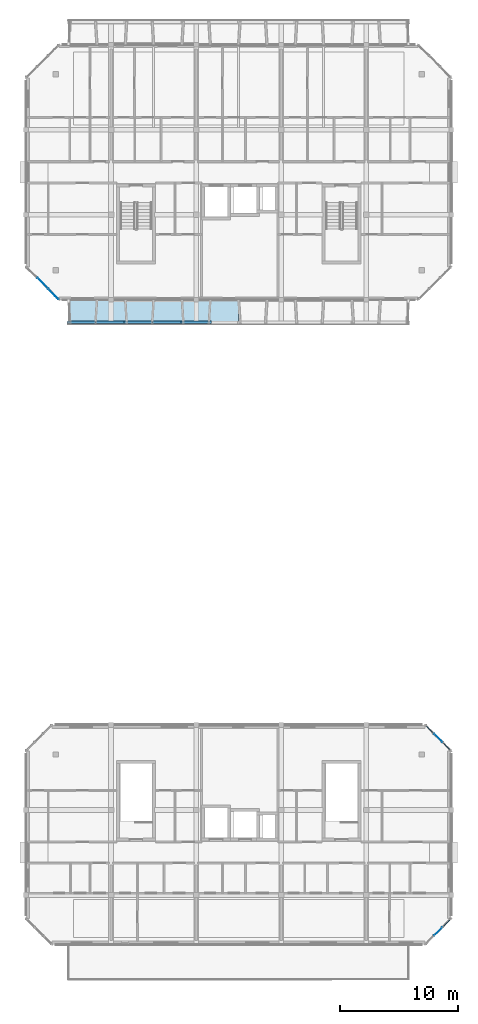
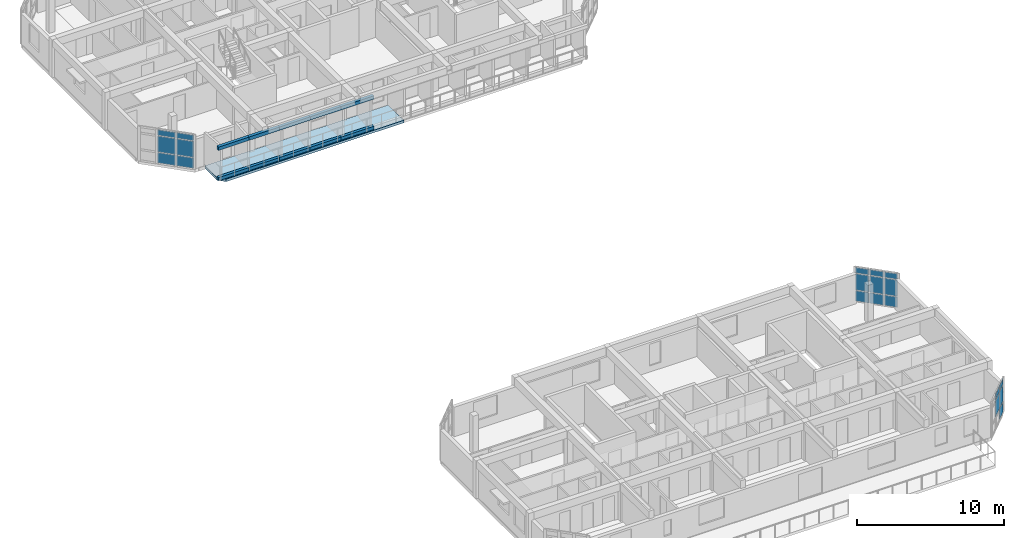
# One storey, part 6 of 19: 30 plates, 1 slab, 3 elements without a shape of their own.
"""IFC4 building model written with IfcOpenShell, lengths in metres."""

from ifc_helpers import new_model, si_unit, direction, frame, origin, origin_2d, place, context, subcontext, project, spatial, polyline, rectangle, outline, extrude, material, layer, layer_set, type_object, element, aggregate, save


model = new_model("IFC4")

# Units and contexts
model_context = context("Model", 3, precision=1e-05, world=origin(), true_north=direction((0.0, 1.0)))
body_context = subcontext(model_context, "Body", "Model", "MODEL_VIEW")
ifc_project = project(units=[si_unit("LENGTHUNIT", "METRE"), si_unit("AREAUNIT", "SQUARE_METRE"), si_unit("VOLUMEUNIT", "CUBIC_METRE"), si_unit("PLANEANGLEUNIT", "RADIAN"), si_unit("MASSUNIT", "GRAM", prefix="KILO")], contexts=[model_context])

# Site, building, storey
site_placement = place(None, origin())
site = spatial("IfcSite", under=ifc_project, at=site_placement, CompositionType="ELEMENT")
building_placement = place(site_placement, origin())
building = spatial("IfcBuilding", under=site, at=building_placement, Name="Ochrevale Crest", CompositionType="ELEMENT")
storey_placement = place(building_placement, frame((0.0, 0.0, 43.35009765625)))
storey = spatial("IfcBuildingStorey", under=building, at=storey_placement, Name="L13", CompositionType="ELEMENT", Elevation=43.35009765625)

# Curtain wall, plates
ifc_material_1 = material(Name="Anodised aluminium 6063-T5", Category="aluminium")
ifc_layer_1 = layer(ifc_material_1, 0.14990234375)
ifc_layer_set_1 = layer_set([ifc_layer_1], Name="Anodised aluminium 6063-T5")
curtain_wall_type_1 = type_object("IfcCurtainWallType", Name="CW-WG-240x285", PredefinedType="NOTDEFINED", material=ifc_layer_set_1)
curtain_wall_1_placement = place(storey_placement, origin())
curtain_wall_1 = element("IfcCurtainWall", 1, at=curtain_wall_1_placement, inside=storey, type_object=curtain_wall_type_1, Name="Block C L13 chamfered corner wintergarden curtain wall 2", PredefinedType="NOTDEFINED")
ifc_material_2 = material(Name="Double-glazed low-E insulated glass unit", Category="glass")
ifc_layer_2 = layer(ifc_material_2, 0.028076171875)
ifc_layer_set_2 = layer_set([ifc_layer_2], Name="Double-glazed low-E insulated glass unit")
plate_type_1 = type_object("IfcPlateType", Name="CW-PNL-IGU28", PredefinedType="CURTAIN_PANEL", material=ifc_layer_set_2)
plate_1_placement = place(storey_placement, frame((164.5, 18.5, 0.979736328125), z_axis=(0.0, 0.0, 1.0), x_axis=(0.707106781187, 0.707106781187, 0.0)))
plate_1 = element("IfcPlate", 2, at=plate_1_placement, type_object=plate_type_1, Name="CW15 panel 2.2", PredefinedType="CURTAIN_PANEL", context=body_context, shape_type="SweptSolid", body=[
    extrude(rectangle(XDim=0.962158203125, YDim=0.028076171875, at=origin_2d()), origin(), (0.0, 0.0, 1.0), 1.35009765625),
])
plate_2_placement = place(storey_placement, frame((164.5, 18.5, 2.389892578125), z_axis=(0.0, 0.0, 1.0), x_axis=(0.707106781187, 0.707106781187, 0.0)))
plate_2 = element("IfcPlate", 3, at=plate_2_placement, type_object=plate_type_1, Name="CW15 panel 2.3", PredefinedType="CURTAIN_PANEL", context=body_context, shape_type="SweptSolid", body=[
    extrude(rectangle(XDim=0.962158203125, YDim=0.028076171875, at=origin_2d()), origin(), (0.0, 0.0, 1.0), 0.4599609375),
])
plate_3_placement = place(storey_placement, frame((165.219970703125, 19.219970703125, 0.06005859375), z_axis=(0.0, 0.0, 1.0), x_axis=(0.707106781187, 0.707106781187, 0.0)))
plate_3 = element("IfcPlate", 4, at=plate_3_placement, type_object=plate_type_1, Name="CW15 panel 3.1", PredefinedType="CURTAIN_PANEL", context=body_context, shape_type="SweptSolid", body=[
    extrude(rectangle(XDim=0.924560546875, YDim=0.028076171875, at=origin_2d()), origin(), (0.0, 0.0, 1.0), 0.860107421875),
])
plate_4_placement = place(storey_placement, frame((165.219970703125, 19.219970703125, 0.979736328125), z_axis=(0.0, 0.0, 1.0), x_axis=(0.707106781187, 0.707106781187, 0.0)))
plate_4 = element("IfcPlate", 5, at=plate_4_placement, type_object=plate_type_1, Name="CW15 panel 3.2", PredefinedType="CURTAIN_PANEL", context=body_context, shape_type="SweptSolid", body=[
    extrude(rectangle(XDim=0.924560546875, YDim=0.028076171875, at=origin_2d()), origin(), (0.0, 0.0, 1.0), 1.35009765625),
])
plate_5_placement = place(storey_placement, frame((165.219970703125, 19.219970703125, 2.389892578125), z_axis=(0.0, 0.0, 1.0), x_axis=(0.707106781187, 0.707106781187, 0.0)))
plate_5 = element("IfcPlate", 6, at=plate_5_placement, type_object=plate_type_1, Name="CW15 panel 3.3", PredefinedType="CURTAIN_PANEL", context=body_context, shape_type="SweptSolid", body=[
    extrude(rectangle(XDim=0.924560546875, YDim=0.028076171875, at=origin_2d()), origin(), (0.0, 0.0, 1.0), 0.4599609375),
])
aggregate(curtain_wall_1, [plate_1, plate_2, plate_3, plate_4, plate_5])

ifc_layer_3 = layer(ifc_material_1, 0.14990234375)
ifc_layer_set_3 = layer_set([ifc_layer_3], Name="Anodised aluminium 6063-T5")
curtain_wall_type_2 = type_object("IfcCurtainWallType", Name="CW-WG-320x285", PredefinedType="NOTDEFINED", material=ifc_layer_set_3)
curtain_wall_2_placement = place(storey_placement, origin())
curtain_wall_2 = element("IfcCurtainWall", 7, at=curtain_wall_2_placement, inside=storey, type_object=curtain_wall_type_2, Name="Block C L13 chamfered corner wintergarden curtain wall 4", PredefinedType="NOTDEFINED")
plate_6_placement = place(storey_placement, frame((165.219970703125, 34.179931640625, 0.06005859375), z_axis=(0.0, 0.0, 1.0), x_axis=(-0.707106781187, 0.707106781187, 0.0)))
plate_6 = element("IfcPlate", 8, at=plate_6_placement, type_object=plate_type_1, Name="CW17 panel 1.1", PredefinedType="CURTAIN_PANEL", context=body_context, shape_type="SweptSolid", body=[
    extrude(rectangle(XDim=0.924560546875, YDim=0.028076171875, at=origin_2d()), origin(), (0.0, 0.0, 1.0), 0.860107421875),
])
plate_7_placement = place(storey_placement, frame((165.219970703125, 34.179931640625, 0.979736328125), z_axis=(0.0, 0.0, 1.0), x_axis=(-0.707106781187, 0.707106781187, 0.0)))
plate_7 = element("IfcPlate", 9, at=plate_7_placement, type_object=plate_type_1, Name="CW17 panel 1.2", PredefinedType="CURTAIN_PANEL", context=body_context, shape_type="SweptSolid", body=[
    extrude(rectangle(XDim=0.924560546875, YDim=0.028076171875, at=origin_2d()), origin(), (0.0, 0.0, 1.0), 1.35009765625),
])
plate_8_placement = place(storey_placement, frame((165.219970703125, 34.179931640625, 2.389892578125), z_axis=(0.0, 0.0, 1.0), x_axis=(-0.707106781187, 0.707106781187, 0.0)))
plate_8 = element("IfcPlate", 10, at=plate_8_placement, type_object=plate_type_1, Name="CW17 panel 1.3", PredefinedType="CURTAIN_PANEL", context=body_context, shape_type="SweptSolid", body=[
    extrude(rectangle(XDim=0.924560546875, YDim=0.028076171875, at=origin_2d()), origin(), (0.0, 0.0, 1.0), 0.4599609375),
])
plate_9_placement = place(storey_placement, frame((164.5, 34.89990234375, 0.06005859375), z_axis=(0.0, 0.0, 1.0), x_axis=(-0.707106781187, 0.707106781187, 0.0)))
plate_9 = element("IfcPlate", 11, at=plate_9_placement, type_object=plate_type_1, Name="CW17 panel 2.1", PredefinedType="CURTAIN_PANEL", context=body_context, shape_type="SweptSolid", body=[
    extrude(rectangle(XDim=0.962158203125, YDim=0.028076171875, at=origin_2d()), origin(), (0.0, 0.0, 1.0), 0.860107421875),
])
plate_10_placement = place(storey_placement, frame((164.5, 34.89990234375, 0.979736328125), z_axis=(0.0, 0.0, 1.0), x_axis=(-0.707106781187, 0.707106781187, 0.0)))
plate_10 = element("IfcPlate", 12, at=plate_10_placement, type_object=plate_type_1, Name="CW17 panel 2.2", PredefinedType="CURTAIN_PANEL", context=body_context, shape_type="SweptSolid", body=[
    extrude(rectangle(XDim=0.962158203125, YDim=0.028076171875, at=origin_2d()), origin(), (0.0, 0.0, 1.0), 1.35009765625),
])
plate_11_placement = place(storey_placement, frame((164.5, 34.89990234375, 2.389892578125), z_axis=(0.0, 0.0, 1.0), x_axis=(-0.707106781187, 0.707106781187, 0.0)))
plate_11 = element("IfcPlate", 13, at=plate_11_placement, type_object=plate_type_1, Name="CW17 panel 2.3", PredefinedType="CURTAIN_PANEL", context=body_context, shape_type="SweptSolid", body=[
    extrude(rectangle(XDim=0.962158203125, YDim=0.028076171875, at=origin_2d()), origin(), (0.0, 0.0, 1.0), 0.4599609375),
])
plate_12_placement = place(storey_placement, frame((163.780029296875, 35.6201171875, 0.06005859375), z_axis=(0.0, 0.0, 1.0), x_axis=(-0.707106781187, 0.707106781187, 0.0)))
plate_12 = element("IfcPlate", 14, at=plate_12_placement, type_object=plate_type_1, Name="CW17 panel 3.1", PredefinedType="CURTAIN_PANEL", context=body_context, shape_type="SweptSolid", body=[
    extrude(rectangle(XDim=0.924560546875, YDim=0.028076171875, at=origin_2d()), origin(), (0.0, 0.0, 1.0), 0.860107421875),
])
plate_13_placement = place(storey_placement, frame((163.780029296875, 35.6201171875, 0.979736328125), z_axis=(0.0, 0.0, 1.0), x_axis=(-0.707106781187, 0.707106781187, 0.0)))
plate_13 = element("IfcPlate", 15, at=plate_13_placement, type_object=plate_type_1, Name="CW17 panel 3.2", PredefinedType="CURTAIN_PANEL", context=body_context, shape_type="SweptSolid", body=[
    extrude(rectangle(XDim=0.924560546875, YDim=0.028076171875, at=origin_2d()), origin(), (0.0, 0.0, 1.0), 1.35009765625),
])
plate_14_placement = place(storey_placement, frame((163.780029296875, 35.6201171875, 2.389892578125), z_axis=(0.0, 0.0, 1.0), x_axis=(-0.707106781187, 0.707106781187, 0.0)))
plate_14 = element("IfcPlate", 16, at=plate_14_placement, type_object=plate_type_1, Name="CW17 panel 3.3", PredefinedType="CURTAIN_PANEL", context=body_context, shape_type="SweptSolid", body=[
    extrude(rectangle(XDim=0.924560546875, YDim=0.028076171875, at=origin_2d()), origin(), (0.0, 0.0, 1.0), 0.4599609375),
])
aggregate(curtain_wall_2, [plate_6, plate_7, plate_8, plate_9, plate_10, plate_11, plate_12, plate_13, plate_14])

ifc_layer_4 = layer(ifc_material_1, 0.14990234375)
ifc_layer_set_4 = layer_set([ifc_layer_4], Name="Anodised aluminium 6063-T5")
curtain_wall_type_3 = type_object("IfcCurtainWallType", Name="CW-WG-280x285", PredefinedType="NOTDEFINED", material=ifc_layer_set_4)
curtain_wall_3_placement = place(storey_placement, origin())
curtain_wall_3 = element("IfcCurtainWall", 17, at=curtain_wall_3_placement, inside=storey, type_object=curtain_wall_type_3, Name="Block D L13 chamfered corner wintergarden curtain wall 8", PredefinedType="NOTDEFINED")
ifc_material_3 = material(Name="Acoustic laminated low-E insulated glass unit", Category="glass")
ifc_layer_5 = layer(ifc_material_3, 0.0380859375)
ifc_layer_set_5 = layer_set([ifc_layer_5], Name="Acoustic laminated low-E insulated glass unit")
plate_type_2 = type_object("IfcPlateType", Name="CW-PNL-IGU38", PredefinedType="CURTAIN_PANEL", material=ifc_layer_set_5)
plate_15_placement = place(storey_placement, frame((131.0, 73.39990234375, 0.06005859375), z_axis=(0.0, 0.0, 1.0), x_axis=(0.707106781187, -0.707106781187, 0.0)))
plate_15 = element("IfcPlate", 18, at=plate_15_placement, type_object=plate_type_2, Name="CW16 panel 2.1", PredefinedType="CURTAIN_PANEL", context=body_context, shape_type="SweptSolid", body=[
    extrude(rectangle(XDim=1.244873046875, YDim=0.0380859375, at=origin_2d()), origin(), (0.0, 0.0, 1.0), 0.860107421875),
])
plate_16_placement = place(storey_placement, frame((131.0, 73.39990234375, 0.97998046875), z_axis=(0.0, 0.0, 1.0), x_axis=(0.707106781187, -0.707106781187, 0.0)))
plate_16 = element("IfcPlate", 19, at=plate_16_placement, type_object=plate_type_2, Name="CW16 panel 2.2", PredefinedType="CURTAIN_PANEL", context=body_context, shape_type="SweptSolid", body=[
    extrude(rectangle(XDim=1.244873046875, YDim=0.0380859375, at=origin_2d()), origin(), (0.0, 0.0, 1.0), 1.31494140625),
])
plate_17_placement = place(storey_placement, frame((131.0, 73.39990234375, 2.35498046875), z_axis=(0.0, 0.0, 1.0), x_axis=(0.707106781187, -0.707106781187, 0.0)))
plate_17 = element("IfcPlate", 20, at=plate_17_placement, type_object=plate_type_2, Name="CW16 panel 2.3", PredefinedType="CURTAIN_PANEL", context=body_context, shape_type="SweptSolid", body=[
    extrude(rectangle(XDim=1.244873046875, YDim=0.0380859375, at=origin_2d()), origin(), (0.0, 0.0, 1.0), 0.4599609375),
])
plate_18_placement = place(storey_placement, frame((131.920166015625, 72.47998046875, 0.06005859375), z_axis=(0.0, 0.0, 1.0), x_axis=(0.707106781187, -0.707106781187, 0.0)))
plate_18 = element("IfcPlate", 21, at=plate_18_placement, type_object=plate_type_2, Name="CW16 panel 3.1", PredefinedType="CURTAIN_PANEL", context=body_context, shape_type="SweptSolid", body=[
    extrude(rectangle(XDim=1.20751953125, YDim=0.0380859375, at=origin_2d()), origin(), (0.0, 0.0, 1.0), 0.860107421875),
])
plate_19_placement = place(storey_placement, frame((131.920166015625, 72.47998046875, 0.97998046875), z_axis=(0.0, 0.0, 1.0), x_axis=(0.707106781187, -0.707106781187, 0.0)))
plate_19 = element("IfcPlate", 22, at=plate_19_placement, type_object=plate_type_2, Name="CW16 panel 3.2", PredefinedType="CURTAIN_PANEL", context=body_context, shape_type="SweptSolid", body=[
    extrude(rectangle(XDim=1.20751953125, YDim=0.0380859375, at=origin_2d()), origin(), (0.0, 0.0, 1.0), 1.31494140625),
])
plate_20_placement = place(storey_placement, frame((131.920166015625, 72.47998046875, 2.35498046875), z_axis=(0.0, 0.0, 1.0), x_axis=(0.707106781187, -0.707106781187, 0.0)))
plate_20 = element("IfcPlate", 23, at=plate_20_placement, type_object=plate_type_2, Name="CW16 panel 3.3", PredefinedType="CURTAIN_PANEL", context=body_context, shape_type="SweptSolid", body=[
    extrude(rectangle(XDim=1.20751953125, YDim=0.0380859375, at=origin_2d()), origin(), (0.0, 0.0, 1.0), 0.4599609375),
])
aggregate(curtain_wall_3, [plate_15, plate_16, plate_17, plate_18, plate_19, plate_20])

# Plates
ifc_material_4 = material(Name="Precast concrete C40/50", Category="concrete")
ifc_layer_6 = layer(ifc_material_4, 0.06005859375)
ifc_layer_set_6 = layer_set([ifc_layer_6], Name="Precast concrete C40/50")
plate_type_3 = type_object("IfcPlateType", Name="PLT-HC-HEAD-60", PredefinedType="USERDEFINED", material=ifc_layer_set_6)
for number, where, z_axis, x_axis, name in (
    (24, (134.39990234375, 70.10009765625, 2.52001953125), (0.0, 0.0, 1.0), (1.0, 0.0, 0.0), "Block D L13 S honeycomb arched lintel fascia 1"),
    (25, (136.800048828125, 70.10009765625, 2.52001953125), (0.0, 0.0, 1.0), (1.0, 0.0, 0.0), "Block D L13 S honeycomb arched lintel fascia 2"),
    (26, (139.199951171875, 70.10009765625, 2.52001953125), (0.0, 0.0, 1.0), (1.0, 0.0, 0.0), "Block D L13 S honeycomb arched lintel fascia 3"),
    (27, (141.60009765625, 70.10009765625, 2.52001953125), (0.0, 0.0, 1.0), (1.0, 0.0, 0.0), "Block D L13 S honeycomb arched lintel fascia 4"),
    (28, (144.0, 70.10009765625, 2.52001953125), (0.0, 0.0, 1.0), (1.0, 0.0, 0.0), "Block D L13 S honeycomb arched lintel fascia 5"),
):
    element("IfcPlate", number, at=place(storey_placement, frame(where, z_axis=z_axis, x_axis=x_axis)), inside=storey, type_object=plate_type_3, Name=name, ObjectType="FACADE FASCIA PLATE", PredefinedType="USERDEFINED", context=body_context, shape_type="SweptSolid", body=[
        extrude(rectangle(XDim=2.60009765625, YDim=0.239990234375, at=origin_2d()), origin(), (0.0, 0.0, 1.0), 0.280029296875),
    ])
ifc_layer_7 = layer(ifc_material_4, 0.044921875)
ifc_layer_set_7 = layer_set([ifc_layer_7], Name="Precast concrete C40/50")
plate_type_4 = type_object("IfcPlateType", Name="PLT-HC-SILL-45", PredefinedType="USERDEFINED", material=ifc_layer_set_7)
for number, where, z_axis, x_axis, name in (
    (29, (134.39990234375, 70.10009765625, 0.0), (0.0, 0.0, 1.0), (1.0, 0.0, 0.0), "Block D L13 S honeycomb sill coping plate 1"),
    (30, (136.800048828125, 70.10009765625, 0.0), (0.0, 0.0, 1.0), (1.0, 0.0, 0.0), "Block D L13 S honeycomb sill coping plate 2"),
    (31, (139.199951171875, 70.10009765625, 0.0), (0.0, 0.0, 1.0), (1.0, 0.0, 0.0), "Block D L13 S honeycomb sill coping plate 3"),
    (32, (141.60009765625, 70.10009765625, 0.0), (0.0, 0.0, 1.0), (1.0, 0.0, 0.0), "Block D L13 S honeycomb sill coping plate 4"),
    (33, (144.0, 70.10009765625, 0.0), (0.0, 0.0, 1.0), (1.0, 0.0, 0.0), "Block D L13 S honeycomb sill coping plate 5"),
):
    element("IfcPlate", number, at=place(storey_placement, frame(where, z_axis=z_axis, x_axis=x_axis)), inside=storey, type_object=plate_type_4, Name=name, ObjectType="SILL COPING PLATE", PredefinedType="USERDEFINED", context=body_context, shape_type="SweptSolid", body=[
        extrude(rectangle(XDim=2.60009765625, YDim=0.219970703125, at=origin_2d()), origin(), (0.0, 0.0, 1.0), 0.260009765625),
    ])

# Slab
ifc_layer_8 = layer(ifc_material_4, 0.199951171875)
ifc_layer_set_8 = layer_set([ifc_layer_8], Name="Precast concrete C40/50")
slab_type = type_object("IfcSlabType", Name="SLB-BAL-200", PredefinedType="FLOOR", material=ifc_layer_set_8)
slab_placement = place(storey_placement, frame((0.0, 0.0, -0.2001953125)))
element("IfcSlab", 34, at=slab_placement, inside=storey, type_object=slab_type, Name="Block D L13 S1 precast loggia balcony slab", PredefinedType="FLOOR", context=body_context, shape_type="SweptSolid", body=[
    extrude(outline(polyline([(133.64990234375, 69.89990234375), (147.60009765625, 69.89990234375), (147.60009765625, 72.0), (133.199951171875, 72.0), (133.199951171875, 70.35009765625), (133.64990234375, 69.89990234375)])), origin(), (0.0, 0.0, 1.0), 0.2001953125),
])

save(model, "model.ifc")
